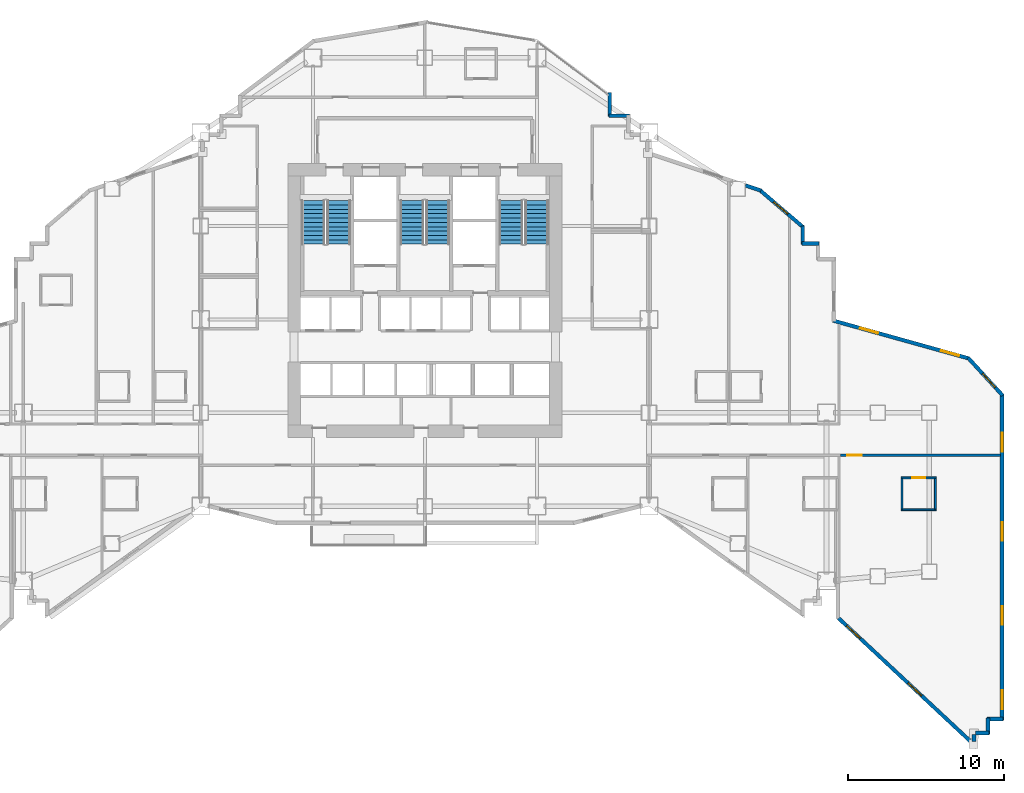
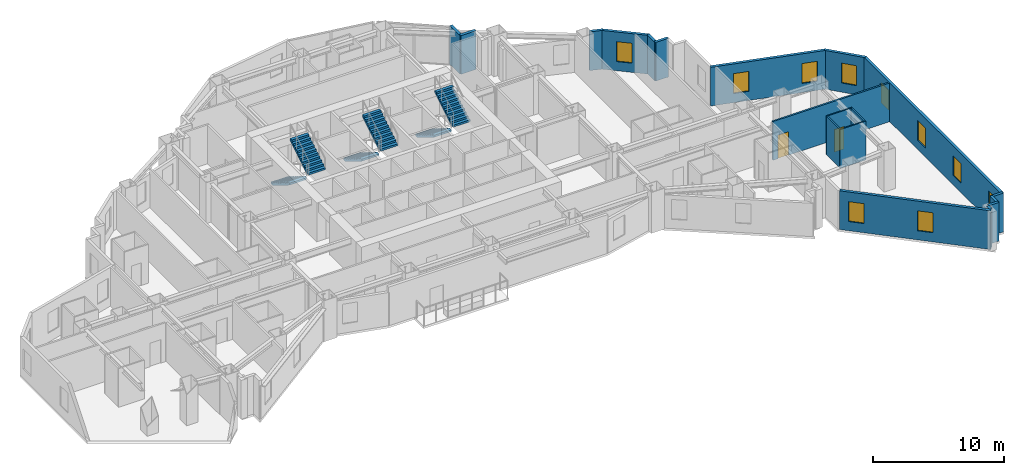
# One storey, part 12 of 15: 19 walls, 10 windows, 6 stair flights, 2 doors, 12 openings, 3 elements without a shape of their own.
"""IFC4 building model written with IfcOpenShell, lengths in metres."""

from ifc_helpers import new_model, si_unit, direction, frame, frame_2d, origin, place, context, subcontext, project, spatial, polyline, rectangle, outline, extrude, material, layer, layer_set, type_object, element, fill, aggregate, save


model = new_model("IFC4")

# Units and contexts
model_context = context("Model", 3, precision=1e-05, world=origin(), true_north=direction((0.0, 1.0)))
body_context = subcontext(model_context, "Body", "Model", "MODEL_VIEW")
ifc_project = project(units=[si_unit("LENGTHUNIT", "METRE"), si_unit("AREAUNIT", "SQUARE_METRE"), si_unit("VOLUMEUNIT", "CUBIC_METRE"), si_unit("PLANEANGLEUNIT", "RADIAN"), si_unit("MASSUNIT", "GRAM", prefix="KILO")], contexts=[model_context])

# Site, building, storey
site_placement = place(None, origin())
site = spatial("IfcSite", under=ifc_project, at=site_placement, CompositionType="ELEMENT")
building_placement = place(site_placement, origin())
building = spatial("IfcBuilding", under=site, at=building_placement, Name="Haolan Belvedere Tower", CompositionType="ELEMENT")
storey_placement = place(building_placement, frame((0.0, 0.0, 66.60009765625)))
storey = spatial("IfcBuildingStorey", under=building, at=storey_placement, Name="L16", CompositionType="ELEMENT", Elevation=66.60009765625)

# Wall, openings, windows
ifc_material_1 = material(Name="Precast concrete C40/50", Category="concrete")
ifc_layer_1 = layer(ifc_material_1, 0.239990234375, Name="Precast concrete C40/50")
ifc_layer_set_1 = layer_set([ifc_layer_1], Name="Precast concrete C40/50")
wall_type_1 = type_object("IfcWallType", Name="WL-EXT-240", PredefinedType="SOLIDWALL", material=ifc_layer_set_1)
wall_1_placement = place(storey_placement, frame((64.978515625, 14.3974609375, 0.0), z_axis=(0.0, 0.0, 1.0), x_axis=(0.731053894258, -0.682319722484, 0.0)))
wall_1 = element("IfcWall", 1, at=wall_1_placement, inside=storey, type_object=wall_type_1, Name="L16 pale-metal exterior spandrel wall 21.1", PredefinedType="SOLIDWALL", context=body_context, shape_type="SweptSolid", body=[
    extrude(rectangle(XDim=11.817626953125, YDim=0.239990234375, at=frame_2d((5.90869140625, 0.0))), origin(), (0.0, 0.0, 1.0), 3.599853515625),
])
opening_1_placement = place(wall_1_placement, frame((0.699951171875, 0.0, 0.85009765625)))
opening_1 = element("IfcOpeningElement", 2, at=opening_1_placement, cuts=wall_1, Name="Opening W-01", PredefinedType="OPENING", context=body_context, shape_type="SweptSolid", body=[
    extrude(rectangle(XDim=1.199951171875, YDim=1.85009765625, at=frame_2d((0.60009765625, 0.925048828125))), frame((0.0, 0.1298828125, 0.0), z_axis=(0.0, -1.0, 0.0), x_axis=(1.0, 0.0, 0.0)), (0.0, 0.0, 1.0), 0.260009765625),
])
opening_2_placement = place(wall_1_placement, frame((6.10009765625, 0.0, 0.85009765625)))
opening_2 = element("IfcOpeningElement", 3, at=opening_2_placement, cuts=wall_1, Name="Opening W-01", PredefinedType="OPENING", context=body_context, shape_type="SweptSolid", body=[
    extrude(rectangle(XDim=1.199951171875, YDim=1.85009765625, at=frame_2d((0.60009765625, 0.925048828125))), frame((0.0, 0.1298828125, 0.0), z_axis=(0.0, -1.0, 0.0), x_axis=(1.0, 0.0, 0.0)), (0.0, 0.0, 1.0), 0.260009765625),
])
ifc_material_2 = material(Name="Anodised aluminium 6063-T6 and Low-E glass", Category="aluminium")
window_type = type_object("IfcWindowType", Name="WN-DECO-Z1", PartitioningType="SINGLE_PANEL", PredefinedType="WINDOW", material=ifc_material_2)
window_1_placement = place(opening_1_placement, origin())
window_1 = element("IfcWindow", 4, at=window_1_placement, inside=storey, type_object=window_type, Name="L16 Art Deco chevron window 1", OverallHeight=1.85009765625, OverallWidth=1.199951171875, PartitioningType="SINGLE_PANEL", PredefinedType="WINDOW", context=body_context, shape_type="SweptSolid", body=[
    extrude(rectangle(XDim=1.199951171875, YDim=1.85009765625, at=frame_2d((0.60009765625, 0.925048828125))), frame((0.0, 0.030029296875, 0.0), z_axis=(0.0, -1.0, 0.0), x_axis=(1.0, 0.0, 0.0)), (0.0, 0.0, 1.0), 0.06005859375),
])
fill(opening_1, window_1)
window_2_placement = place(opening_2_placement, origin())
window_2 = element("IfcWindow", 5, at=window_2_placement, inside=storey, type_object=window_type, Name="L16 Art Deco chevron window 2", OverallHeight=1.85009765625, OverallWidth=1.199951171875, PartitioningType="SINGLE_PANEL", PredefinedType="WINDOW", context=body_context, shape_type="SweptSolid", body=[
    extrude(rectangle(XDim=1.199951171875, YDim=1.85009765625, at=frame_2d((0.60009765625, 0.925048828125))), frame((0.0, 0.030029296875, 0.0), z_axis=(0.0, -1.0, 0.0), x_axis=(1.0, 0.0, 0.0)), (0.0, 0.0, 1.0), 0.06005859375),
])
fill(opening_2, window_2)

# Walls
wall_2_placement = place(storey_placement, frame((73.679931640625, 6.481201171875, 0.0), z_axis=(0.0, 0.0, 1.0), x_axis=(0.0, 1.0, 0.0)))
element("IfcWall", 6, at=wall_2_placement, inside=storey, type_object=wall_type_1, Name="L16 pale-metal exterior spandrel wall 22.1", PredefinedType="SOLIDWALL", context=body_context, shape_type="SweptSolid", body=[
    extrude(rectangle(XDim=0.453857421875, YDim=0.239990234375, at=frame_2d((0.22705078125, 0.0))), origin(), (0.0, 0.0, 1.0), 3.599853515625),
])
wall_3_placement = place(storey_placement, frame((73.764892578125, 7.02001953125, 0.0), z_axis=(0.0, 0.0, 1.0), x_axis=(1.0, 0.0, 0.0)))
element("IfcWall", 7, at=wall_3_placement, inside=storey, type_object=wall_type_1, Name="L16 pale-metal exterior spandrel wall 23.1", PredefinedType="SOLIDWALL", context=body_context, shape_type="SweptSolid", body=[
    extrude(rectangle(XDim=0.8701171875, YDim=0.239990234375, at=frame_2d((0.43505859375, 0.0))), origin(), (0.0, 0.0, 1.0), 3.599853515625),
])
for number, where, z_axis, x_axis, name in (
    (8, (74.580078125, 6.965087890625, 0.0), (0.0, 0.0, 1.0), (0.0, 1.0, 0.0), "L16 pale-metal exterior spandrel wall 24.1"),
    (9, (74.52490234375, 7.919921875, 0.0), (0.0, 0.0, 1.0), (1.0, 0.0, 0.0), "L16 pale-metal exterior spandrel wall 25.1"),
):
    element("IfcWall", number, at=place(storey_placement, frame(where, z_axis=z_axis, x_axis=x_axis)), inside=storey, type_object=wall_type_1, Name=name, PredefinedType="SOLIDWALL", context=body_context, shape_type="SweptSolid", body=[
        extrude(rectangle(XDim=1.010009765625, YDim=0.239990234375, at=frame_2d((0.5048828125, 0.0))), origin(), (0.0, 0.0, 1.0), 3.599853515625),
    ])

# Wall, openings, windows
wall_4_placement = place(storey_placement, frame((75.47998046875, 7.864990234375, 0.0), z_axis=(0.0, 0.0, 1.0), x_axis=(0.0, 1.0, 0.0)))
wall_4 = element("IfcWall", 10, at=wall_4_placement, inside=storey, type_object=wall_type_1, Name="L16 pale-metal exterior spandrel wall 26.1", PredefinedType="SOLIDWALL", context=body_context, shape_type="SweptSolid", body=[
    extrude(rectangle(XDim=20.943359375, YDim=0.239990234375, at=frame_2d((10.4716796875, 0.0))), origin(), (0.0, 0.0, 1.0), 3.599853515625),
])
opening_3_placement = place(wall_4_placement, frame((0.699951171875, 0.0, 0.85009765625)))
opening_3 = element("IfcOpeningElement", 11, at=opening_3_placement, cuts=wall_4, Name="Opening W-01", PredefinedType="OPENING", context=body_context, shape_type="SweptSolid", body=[
    extrude(rectangle(XDim=1.199951171875, YDim=1.85009765625, at=frame_2d((0.60009765625, 0.925048828125))), frame((0.0, 0.1298828125, 0.0), z_axis=(0.0, -1.0, 0.0), x_axis=(1.0, 0.0, 0.0)), (0.0, 0.0, 1.0), 0.260009765625),
])
opening_4_placement = place(wall_4_placement, frame((6.10009765625, 0.0, 0.85009765625)))
opening_4 = element("IfcOpeningElement", 12, at=opening_4_placement, cuts=wall_4, Name="Opening W-01", PredefinedType="OPENING", context=body_context, shape_type="SweptSolid", body=[
    extrude(rectangle(XDim=1.199951171875, YDim=1.85009765625, at=frame_2d((0.60009765625, 0.925048828125))), frame((0.0, 0.1298828125, 0.0), z_axis=(0.0, -1.0, 0.0), x_axis=(1.0, 0.0, 0.0)), (0.0, 0.0, 1.0), 0.260009765625),
])
opening_5_placement = place(wall_4_placement, frame((11.5, 0.0, 0.85009765625)))
opening_5 = element("IfcOpeningElement", 13, at=opening_5_placement, cuts=wall_4, Name="Opening W-01", PredefinedType="OPENING", context=body_context, shape_type="SweptSolid", body=[
    extrude(rectangle(XDim=1.199951171875, YDim=1.85009765625, at=frame_2d((0.60009765625, 0.925048828125))), frame((0.0, 0.1298828125, 0.0), z_axis=(0.0, -1.0, 0.0), x_axis=(1.0, 0.0, 0.0)), (0.0, 0.0, 1.0), 0.260009765625),
])
opening_6_placement = place(wall_4_placement, frame((17.239990234375, 0.0, 0.85009765625)))
opening_6 = element("IfcOpeningElement", 14, at=opening_6_placement, cuts=wall_4, Name="Opening W-01", PredefinedType="OPENING", context=body_context, shape_type="SweptSolid", body=[
    extrude(rectangle(XDim=1.199951171875, YDim=1.85009765625, at=frame_2d((0.60009765625, 0.925048828125))), frame((0.0, 0.1298828125, 0.0), z_axis=(0.0, -1.0, 0.0), x_axis=(1.0, 0.0, 0.0)), (0.0, 0.0, 1.0), 0.260009765625),
])
window_3_placement = place(opening_3_placement, origin())
window_3 = element("IfcWindow", 15, at=window_3_placement, inside=storey, type_object=window_type, Name="L16 Art Deco chevron window 1", OverallHeight=1.85009765625, OverallWidth=1.199951171875, PartitioningType="SINGLE_PANEL", PredefinedType="WINDOW", context=body_context, shape_type="SweptSolid", body=[
    extrude(rectangle(XDim=1.199951171875, YDim=1.85009765625, at=frame_2d((0.60009765625, 0.925048828125))), frame((0.0, 0.030029296875, 0.0), z_axis=(0.0, -1.0, 0.0), x_axis=(1.0, 0.0, 0.0)), (0.0, 0.0, 1.0), 0.06005859375),
])
fill(opening_3, window_3)
window_4_placement = place(opening_4_placement, origin())
window_4 = element("IfcWindow", 16, at=window_4_placement, inside=storey, type_object=window_type, Name="L16 Art Deco chevron window 2", OverallHeight=1.85009765625, OverallWidth=1.199951171875, PartitioningType="SINGLE_PANEL", PredefinedType="WINDOW", context=body_context, shape_type="SweptSolid", body=[
    extrude(rectangle(XDim=1.199951171875, YDim=1.85009765625, at=frame_2d((0.60009765625, 0.925048828125))), frame((0.0, 0.030029296875, 0.0), z_axis=(0.0, -1.0, 0.0), x_axis=(1.0, 0.0, 0.0)), (0.0, 0.0, 1.0), 0.06005859375),
])
fill(opening_4, window_4)
window_5_placement = place(opening_5_placement, origin())
window_5 = element("IfcWindow", 17, at=window_5_placement, inside=storey, type_object=window_type, Name="L16 Art Deco chevron window 3", OverallHeight=1.85009765625, OverallWidth=1.199951171875, PartitioningType="SINGLE_PANEL", PredefinedType="WINDOW", context=body_context, shape_type="SweptSolid", body=[
    extrude(rectangle(XDim=1.199951171875, YDim=1.85009765625, at=frame_2d((0.60009765625, 0.925048828125))), frame((0.0, 0.030029296875, 0.0), z_axis=(0.0, -1.0, 0.0), x_axis=(1.0, 0.0, 0.0)), (0.0, 0.0, 1.0), 0.06005859375),
])
fill(opening_5, window_5)
window_6_placement = place(opening_6_placement, origin())
window_6 = element("IfcWindow", 18, at=window_6_placement, inside=storey, type_object=window_type, Name="L16 Art Deco chevron window 4", OverallHeight=1.85009765625, OverallWidth=1.199951171875, PartitioningType="SINGLE_PANEL", PredefinedType="WINDOW", context=body_context, shape_type="SweptSolid", body=[
    extrude(rectangle(XDim=1.199951171875, YDim=1.85009765625, at=frame_2d((0.60009765625, 0.925048828125))), frame((0.0, 0.030029296875, 0.0), z_axis=(0.0, -1.0, 0.0), x_axis=(1.0, 0.0, 0.0)), (0.0, 0.0, 1.0), 0.06005859375),
])
fill(opening_6, window_6)

# Wall, opening, window
wall_5_placement = place(storey_placement, frame((75.51708984375, 28.712890625, 0.0), z_axis=(0.0, 0.0, 1.0), x_axis=(-0.67574145796, 0.737138712858, 0.0)))
wall_5 = element("IfcWall", 19, at=wall_5_placement, inside=storey, type_object=wall_type_1, Name="L16 pale-metal exterior spandrel wall 27.1", PredefinedType="SOLIDWALL", context=body_context, shape_type="SweptSolid", body=[
    extrude(rectangle(XDim=3.284423828125, YDim=0.239990234375, at=frame_2d((1.64208984375, 0.0))), origin(), (0.0, 0.0, 1.0), 3.599853515625),
])
opening_7_placement = place(wall_5_placement, frame((0.699951171875, 0.0, 0.85009765625)))
opening_7 = element("IfcOpeningElement", 20, at=opening_7_placement, cuts=wall_5, Name="Opening W-01", PredefinedType="OPENING", context=body_context, shape_type="SweptSolid", body=[
    extrude(rectangle(XDim=1.199951171875, YDim=1.85009765625, at=frame_2d((0.60009765625, 0.925048828125))), frame((0.0, 0.1298828125, 0.0), z_axis=(0.0, -1.0, 0.0), x_axis=(1.0, 0.0, 0.0)), (0.0, 0.0, 1.0), 0.260009765625),
])
window_7_placement = place(opening_7_placement, origin())
window_7 = element("IfcWindow", 21, at=window_7_placement, inside=storey, type_object=window_type, Name="L16 Art Deco chevron window 1", OverallHeight=1.85009765625, OverallWidth=1.199951171875, PartitioningType="SINGLE_PANEL", PredefinedType="WINDOW", context=body_context, shape_type="SweptSolid", body=[
    extrude(rectangle(XDim=1.199951171875, YDim=1.85009765625, at=frame_2d((0.60009765625, 0.925048828125))), frame((0.0, 0.030029296875, 0.0), z_axis=(0.0, -1.0, 0.0), x_axis=(1.0, 0.0, 0.0)), (0.0, 0.0, 1.0), 0.06005859375),
])
fill(opening_7, window_7)

# Wall, openings, windows
wall_6_placement = place(storey_placement, frame((73.3876953125, 31.078857421875, 0.0), z_axis=(0.0, 0.0, 1.0), x_axis=(-0.963197271032, 0.268795493036, 0.0)))
wall_6 = element("IfcWall", 22, at=wall_6_placement, inside=storey, type_object=wall_type_1, Name="L16 pale-metal exterior spandrel wall 28.1", PredefinedType="SOLIDWALL", context=body_context, shape_type="SweptSolid", body=[
    extrude(rectangle(XDim=9.095458984375, YDim=0.239990234375, at=frame_2d((4.5478515625, 0.0))), origin(), (0.0, 0.0, 1.0), 3.599853515625),
])
opening_8_placement = place(wall_6_placement, frame((0.699951171875, 0.0, 0.85009765625)))
opening_8 = element("IfcOpeningElement", 23, at=opening_8_placement, cuts=wall_6, Name="Opening W-01", PredefinedType="OPENING", context=body_context, shape_type="SweptSolid", body=[
    extrude(rectangle(XDim=1.199951171875, YDim=1.85009765625, at=frame_2d((0.60009765625, 0.925048828125))), frame((0.0, 0.1298828125, 0.0), z_axis=(0.0, -1.0, 0.0), x_axis=(1.0, 0.0, 0.0)), (0.0, 0.0, 1.0), 0.260009765625),
])
opening_9_placement = place(wall_6_placement, frame((6.10009765625, 0.0, 0.85009765625)))
opening_9 = element("IfcOpeningElement", 24, at=opening_9_placement, cuts=wall_6, Name="Opening W-01", PredefinedType="OPENING", context=body_context, shape_type="SweptSolid", body=[
    extrude(rectangle(XDim=1.199951171875, YDim=1.85009765625, at=frame_2d((0.60009765625, 0.925048828125))), frame((0.0, 0.1298828125, 0.0), z_axis=(0.0, -1.0, 0.0), x_axis=(1.0, 0.0, 0.0)), (0.0, 0.0, 1.0), 0.260009765625),
])
window_8_placement = place(opening_8_placement, origin())
window_8 = element("IfcWindow", 25, at=window_8_placement, inside=storey, type_object=window_type, Name="L16 Art Deco chevron window 1", OverallHeight=1.85009765625, OverallWidth=1.199951171875, PartitioningType="SINGLE_PANEL", PredefinedType="WINDOW", context=body_context, shape_type="SweptSolid", body=[
    extrude(rectangle(XDim=1.199951171875, YDim=1.85009765625, at=frame_2d((0.60009765625, 0.925048828125))), frame((0.0, 0.030029296875, 0.0), z_axis=(0.0, -1.0, 0.0), x_axis=(1.0, 0.0, 0.0)), (0.0, 0.0, 1.0), 0.06005859375),
])
fill(opening_8, window_8)
window_9_placement = place(opening_9_placement, origin())
window_9 = element("IfcWindow", 26, at=window_9_placement, inside=storey, type_object=window_type, Name="L16 Art Deco chevron window 2", OverallHeight=1.85009765625, OverallWidth=1.199951171875, PartitioningType="SINGLE_PANEL", PredefinedType="WINDOW", context=body_context, shape_type="SweptSolid", body=[
    extrude(rectangle(XDim=1.199951171875, YDim=1.85009765625, at=frame_2d((0.60009765625, 0.925048828125))), frame((0.0, 0.030029296875, 0.0), z_axis=(0.0, -1.0, 0.0), x_axis=(1.0, 0.0, 0.0)), (0.0, 0.0, 1.0), 0.06005859375),
])
fill(opening_9, window_9)

# Walls
wall_7_placement = place(storey_placement, frame((63.735107421875, 38.47998046875, 0.0), z_axis=(0.0, 0.0, 1.0), x_axis=(-1.0, 0.0, 0.0)))
element("IfcWall", 27, at=wall_7_placement, inside=storey, type_object=wall_type_1, Name="L16 pale-metal exterior spandrel wall 32.1", PredefinedType="SOLIDWALL", context=body_context, shape_type="SweptSolid", body=[
    extrude(rectangle(XDim=1.110107421875, YDim=0.239990234375, at=frame_2d((0.55517578125, 0.0))), origin(), (0.0, 0.0, 1.0), 3.599853515625),
])
wall_8_placement = place(storey_placement, frame((62.679931640625, 38.425048828125, 0.0), z_axis=(0.0, 0.0, 1.0), x_axis=(0.0, 1.0, 0.0)))
element("IfcWall", 28, at=wall_8_placement, inside=storey, type_object=wall_type_1, Name="L16 pale-metal exterior spandrel wall 33.1", PredefinedType="SOLIDWALL", context=body_context, shape_type="SweptSolid", body=[
    extrude(rectangle(XDim=1.1748046875, YDim=0.239990234375, at=frame_2d((0.58740234375, 0.0))), origin(), (0.0, 0.0, 1.0), 3.599853515625),
])

# Wall, opening, window
wall_9_placement = place(storey_placement, frame((62.7216796875, 39.509033203125, 0.0), z_axis=(0.0, 0.0, 1.0), x_axis=(-0.759247334792, 0.650802185469, 0.0)))
wall_9 = element("IfcWall", 29, at=wall_9_placement, inside=storey, type_object=wall_type_1, Name="L16 pale-metal exterior spandrel wall 34.1", PredefinedType="SOLIDWALL", context=body_context, shape_type="SweptSolid", body=[
    extrude(rectangle(XDim=3.71923828125, YDim=0.239990234375, at=frame_2d((1.859619140625, 0.0))), origin(), (0.0, 0.0, 1.0), 3.599853515625),
])
opening_10_placement = place(wall_9_placement, frame((1.319580078125, 0.0, 0.85009765625)))
opening_10 = element("IfcOpeningElement", 30, at=opening_10_placement, cuts=wall_9, Name="Opening W-01", PredefinedType="OPENING", context=body_context, shape_type="SweptSolid", body=[
    extrude(rectangle(XDim=1.199951171875, YDim=1.85009765625, at=frame_2d((0.60009765625, 0.925048828125))), frame((0.0, 0.1298828125, 0.0), z_axis=(0.0, -1.0, 0.0), x_axis=(1.0, 0.0, 0.0)), (0.0, 0.0, 1.0), 0.260009765625),
])
window_10_placement = place(opening_10_placement, origin())
window_10 = element("IfcWindow", 31, at=window_10_placement, inside=storey, type_object=window_type, Name="L16 Art Deco chevron window 1", OverallHeight=1.85009765625, OverallWidth=1.199951171875, PartitioningType="SINGLE_PANEL", PredefinedType="WINDOW", context=body_context, shape_type="SweptSolid", body=[
    extrude(rectangle(XDim=1.199951171875, YDim=1.85009765625, at=frame_2d((0.60009765625, 0.925048828125))), frame((0.0, 0.030029296875, 0.0), z_axis=(0.0, -1.0, 0.0), x_axis=(1.0, 0.0, 0.0)), (0.0, 0.0, 1.0), 0.06005859375),
])
fill(opening_10, window_10)

# Walls
wall_10_placement = place(storey_placement, frame((59.991943359375, 41.876220703125, 0.0), z_axis=(0.0, 0.0, 1.0), x_axis=(-0.948706457285, 0.316158279832, 0.0)))
element("IfcWall", 32, at=wall_10_placement, inside=storey, type_object=wall_type_1, Name="L16 pale-metal exterior spandrel wall 35.1", PredefinedType="SOLIDWALL", context=body_context, shape_type="SweptSolid", body=[
    extrude(rectangle(XDim=1.053955078125, YDim=0.239990234375, at=frame_2d((0.52685546875, 0.0))), origin(), (0.0, 0.0, 1.0), 3.599853515625),
])
wall_11_placement = place(storey_placement, frame((51.534912109375, 46.679931640625, 0.0), z_axis=(0.0, 0.0, 1.0), x_axis=(-1.0, 0.0, 0.0)))
element("IfcWall", 33, at=wall_11_placement, inside=storey, type_object=wall_type_1, Name="L16 pale-metal exterior spandrel wall 39.1", PredefinedType="SOLIDWALL", context=body_context, shape_type="SweptSolid", body=[
    extrude(rectangle(XDim=1.309814453125, YDim=0.239990234375, at=frame_2d((0.65478515625, 0.0))), origin(), (0.0, 0.0, 1.0), 3.599853515625),
])
wall_12_placement = place(storey_placement, frame((50.280029296875, 46.625, 0.0), z_axis=(0.0, 0.0, 1.0), x_axis=(0.0, 1.0, 0.0)))
element("IfcWall", 34, at=wall_12_placement, inside=storey, type_object=wall_type_1, Name="L16 pale-metal exterior spandrel wall 40.1", PredefinedType="SOLIDWALL", context=body_context, shape_type="SweptSolid", body=[
    extrude(rectangle(XDim=1.5400390625, YDim=0.239990234375, at=frame_2d((0.77001953125, 0.0))), origin(), (0.0, 0.0, 1.0), 3.599853515625),
])

# Wall, opening, door
ifc_material_3 = material(Name="Double gypsum acoustic stud partition", Category="masonry")
ifc_layer_2 = layer(ifc_material_3, 0.14990234375, Name="Double gypsum acoustic stud partition")
ifc_layer_set_2 = layer_set([ifc_layer_2], Name="Double gypsum acoustic stud partition")
wall_type_2 = type_object("IfcWallType", Name="WL-PART-150", PredefinedType="PARTITIONING", material=ifc_layer_set_2)
wall_13_placement = place(storey_placement, frame((65.10205078125, 24.8701171875, 0.0), z_axis=(0.0, 0.0, 1.0), x_axis=(1.0, 0.0, 0.0)))
wall_13 = element("IfcWall", 35, at=wall_13_placement, inside=storey, type_object=wall_type_2, Name="L16 interior partition IW-L16-T5S1-N", PredefinedType="PARTITIONING", context=body_context, shape_type="SweptSolid", body=[
    extrude(rectangle(XDim=10.27294921875, YDim=0.14990234375, at=frame_2d((5.136474609375, 0.0))), origin(), (0.0, 0.0, 1.0), 3.599853515625),
])
opening_11_placement = place(wall_13_placement, frame((1.379150390625, 0.0, 0.0), z_axis=(0.0, 0.0, 1.0), x_axis=(-1.0, 0.0, 0.0)))
opening_11 = element("IfcOpeningElement", 36, at=opening_11_placement, cuts=wall_13, Name="Opening ID-01", PredefinedType="OPENING", context=body_context, shape_type="SweptSolid", body=[
    extrude(rectangle(XDim=0.949951171875, YDim=2.179931640625, at=frame_2d((0.47509765625, 1.08984375))), frame((0.0, 0.0849609375, 0.0), z_axis=(0.0, -1.0, 0.0), x_axis=(1.0, 0.0, 0.0)), (0.0, 0.0, 1.0), 0.169921875),
])
ifc_material_4 = material(Name="Acoustic walnut veneer fire-rated timber", Category="wood")
door_type_1 = type_object("IfcDoorType", Name="DR-SUITE-950", OperationType="NOTDEFINED", PredefinedType="DOOR", material=ifc_material_4)
door_1_placement = place(opening_11_placement, origin())
door_1 = element("IfcDoor", 37, at=door_1_placement, inside=storey, type_object=door_type_1, Name="L16 door ID-L16-T5S1-ENT", OperationType="SINGLE_SWING_LEFT", OverallHeight=2.179931640625, OverallWidth=0.949951171875, PredefinedType="DOOR", context=body_context, shape_type="SweptSolid", body=[
    extrude(rectangle(XDim=0.949951171875, YDim=2.179931640625, at=frame_2d((0.47509765625, 1.08984375))), frame((0.0, 0.02490234375, 0.0), z_axis=(0.0, -1.0, 0.0), x_axis=(1.0, 0.0, 0.0)), (0.0, 0.0, 1.0), 0.050048828125),
])
fill(opening_11, door_1)

ifc_material_5 = material(Name="Moisture-resistant gypsum tile partition", Category="masonry")
ifc_layer_3 = layer(ifc_material_5, 0.1201171875, Name="Moisture-resistant gypsum tile partition")
ifc_layer_set_3 = layer_set([ifc_layer_3], Name="Moisture-resistant gypsum tile partition")
wall_type_3 = type_object("IfcWallType", Name="WL-WET-120", PredefinedType="PARTITIONING", material=ifc_layer_set_3)
wall_14_placement = place(storey_placement, frame((68.989990234375, 23.419921875, 0.0), z_axis=(0.0, 0.0, 1.0), x_axis=(1.0, 0.0, 0.0)))
wall_14 = element("IfcWall", 38, at=wall_14_placement, inside=storey, type_object=wall_type_3, Name="L16 interior partition IW-L16-T5S1-BN", PredefinedType="PARTITIONING", context=body_context, shape_type="SweptSolid", body=[
    extrude(rectangle(XDim=2.27001953125, YDim=0.1201171875, at=frame_2d((1.135009765625, 0.0))), origin(), (0.0, 0.0, 1.0), 3.599853515625),
])
opening_12_placement = place(wall_14_placement, frame((1.56005859375, 0.0, 0.0), z_axis=(0.0, 0.0, 1.0), x_axis=(-1.0, 0.0, 0.0)))
opening_12 = element("IfcOpeningElement", 39, at=opening_12_placement, cuts=wall_14, Name="Opening ID-05", PredefinedType="OPENING", context=body_context, shape_type="SweptSolid", body=[
    extrude(rectangle(XDim=0.85009765625, YDim=2.10009765625, at=frame_2d((0.425048828125, 1.050048828125))), frame((0.0, 0.070068359375, 0.0), z_axis=(0.0, -1.0, 0.0), x_axis=(1.0, 0.0, 0.0)), (0.0, 0.0, 1.0), 0.14013671875),
])
ifc_material_6 = material(Name="Moisture-resistant lacquered timber", Category="wood")
door_type_2 = type_object("IfcDoorType", Name="DR-BATH-850", OperationType="NOTDEFINED", PredefinedType="DOOR", material=ifc_material_6)
door_2_placement = place(opening_12_placement, origin())
door_2 = element("IfcDoor", 40, at=door_2_placement, inside=storey, type_object=door_type_2, Name="L16 door ID-L16-T5S1-BATH", OperationType="SINGLE_SWING_RIGHT", OverallHeight=2.10009765625, OverallWidth=0.85009765625, PredefinedType="DOOR", context=body_context, shape_type="SweptSolid", body=[
    extrude(rectangle(XDim=0.85009765625, YDim=2.10009765625, at=frame_2d((0.425048828125, 1.050048828125))), frame((0.0, 0.02490234375, 0.0), z_axis=(0.0, -1.0, 0.0), x_axis=(1.0, 0.0, 0.0)), (0.0, 0.0, 1.0), 0.050048828125),
])
fill(opening_12, door_2)

# Walls
wall_15_placement = place(storey_placement, frame((68.989990234375, 21.3701171875, 0.0), z_axis=(0.0, 0.0, 1.0), x_axis=(1.0, 0.0, 0.0)))
element("IfcWall", 41, at=wall_15_placement, inside=storey, type_object=wall_type_3, Name="L16 interior partition IW-L16-T5S1-BS", PredefinedType="PARTITIONING", context=body_context, shape_type="SweptSolid", body=[
    extrude(rectangle(XDim=2.27001953125, YDim=0.1201171875, at=frame_2d((1.135009765625, 0.0))), origin(), (0.0, 0.0, 1.0), 3.599853515625),
])
for number, where, z_axis, x_axis, name in (
    (42, (69.050048828125, 21.4150390625, 0.0), (0.0, 0.0, 1.0), (0.0, 1.0, 0.0), "L16 interior partition IW-L16-T5S1-BW"),
    (43, (71.199951171875, 21.4150390625, 0.0), (0.0, 0.0, 1.0), (0.0, 1.0, 0.0), "L16 interior partition IW-L16-T5S1-BE"),
):
    element("IfcWall", number, at=place(storey_placement, frame(where, z_axis=z_axis, x_axis=x_axis)), inside=storey, type_object=wall_type_3, Name=name, PredefinedType="PARTITIONING", context=body_context, shape_type="SweptSolid", body=[
        extrude(rectangle(XDim=1.9599609375, YDim=0.1201171875, at=frame_2d((0.97998046875, 0.0))), origin(), (0.0, 0.0, 1.0), 3.599853515625),
    ])

# Stair, stair flights
ifc_material_7 = material(Name="Concrete C40/50", Category="concrete")
stair_type = type_object("IfcStairType", Name="STR-DL-22R-173", PredefinedType="HALF_TURN_STAIR", material=ifc_material_7)
stair_1_placement = place(storey_placement, origin())
stair_1 = element("IfcStair", 44, at=stair_1_placement, inside=storey, type_object=stair_type, Name="L16 Smokeproof Core Exit Stair ST1", PredefinedType="HALF_TURN_STAIR")
stair_flight_type = type_object("IfcStairFlightType", Name="SFL-DL-11R-173", PredefinedType="STRAIGHT", material=ifc_material_7)
stair_flight_1_placement = place(storey_placement, frame((31.2099609375, 41.22998046875, 0.0), z_axis=(0.0, 0.0, 1.0), x_axis=(0.0, -1.0, 0.0)))
stair_flight_1 = element("IfcStairFlight", 45, at=stair_flight_1_placement, type_object=stair_flight_type, Name="ST1 flight 1", NumberOfRisers=11, NumberOfTreads=10, PredefinedType="STRAIGHT", RiserHeight=0.172727273, TreadLength=0.28, context=body_context, shape_type="SweptSolid", body=[
    extrude(outline(polyline([(0.0, 0.0), (0.0, 0.172607421875), (0.280029296875, 0.172607421875), (0.280029296875, 0.345458984375), (0.56005859375, 0.345458984375), (0.56005859375, 0.51806640625), (0.840087890625, 0.51806640625), (0.840087890625, 0.69091796875), (1.1201171875, 0.69091796875), (1.1201171875, 0.863525390625), (1.39990234375, 0.863525390625), (1.39990234375, 1.036376953125), (1.679931640625, 1.036376953125), (1.679931640625, 1.208984375), (1.9599609375, 1.208984375), (1.9599609375, 1.3818359375), (2.239990234375, 1.3818359375), (2.239990234375, 1.554443359375), (2.52001953125, 1.554443359375), (2.52001953125, 1.727294921875), (2.800048828125, 1.727294921875), (2.800048828125, 1.89990234375), (2.800048828125, 1.551025390625), (0.285400390625, 0.0), (0.0, 0.0)])), frame((0.0, 0.760009765625, 0.0), z_axis=(0.0, -1.0, 0.0), x_axis=(1.0, 0.0, 0.0)), (0.0, 0.0, 1.0), 1.52001953125),
])
stair_flight_2_placement = place(storey_placement, frame((32.8701171875, 38.429931640625, 1.89990234375), z_axis=(0.0, 0.0, 1.0), x_axis=(0.0, 1.0, 0.0)))
stair_flight_2 = element("IfcStairFlight", 46, at=stair_flight_2_placement, type_object=stair_flight_type, Name="ST1 flight 2", NumberOfRisers=11, NumberOfTreads=10, PredefinedType="STRAIGHT", RiserHeight=0.172727273, TreadLength=0.28, context=body_context, shape_type="SweptSolid", body=[
    extrude(outline(polyline([(0.0, 0.0), (0.0, 0.172607421875), (0.280029296875, 0.172607421875), (0.280029296875, 0.345458984375), (0.56005859375, 0.345458984375), (0.56005859375, 0.51806640625), (0.840087890625, 0.51806640625), (0.840087890625, 0.69091796875), (1.1201171875, 0.69091796875), (1.1201171875, 0.863525390625), (1.39990234375, 0.863525390625), (1.39990234375, 1.036376953125), (1.679931640625, 1.036376953125), (1.679931640625, 1.208984375), (1.9599609375, 1.208984375), (1.9599609375, 1.3818359375), (2.239990234375, 1.3818359375), (2.239990234375, 1.554443359375), (2.52001953125, 1.554443359375), (2.52001953125, 1.727294921875), (2.800048828125, 1.727294921875), (2.800048828125, 1.89990234375), (2.800048828125, 1.551025390625), (0.285400390625, 0.0), (0.0, 0.0)])), frame((0.0, 0.760009765625, 0.0), z_axis=(0.0, -1.0, 0.0), x_axis=(1.0, 0.0, 0.0)), (0.0, 0.0, 1.0), 1.52001953125),
])
aggregate(stair_1, [stair_flight_1, stair_flight_2])

stair_2_placement = place(storey_placement, origin())
stair_2 = element("IfcStair", 47, at=stair_2_placement, inside=storey, type_object=stair_type, Name="L16 Smokeproof Core Exit Stair ST3", PredefinedType="HALF_TURN_STAIR")
stair_flight_3_placement = place(storey_placement, frame((37.570068359375, 41.22998046875, 0.0), z_axis=(0.0, 0.0, 1.0), x_axis=(0.0, -1.0, 0.0)))
stair_flight_3 = element("IfcStairFlight", 48, at=stair_flight_3_placement, type_object=stair_flight_type, Name="ST3 flight 1", NumberOfRisers=11, NumberOfTreads=10, PredefinedType="STRAIGHT", RiserHeight=0.172727273, TreadLength=0.28, context=body_context, shape_type="SweptSolid", body=[
    extrude(outline(polyline([(0.0, 0.0), (0.0, 0.172607421875), (0.280029296875, 0.172607421875), (0.280029296875, 0.345458984375), (0.56005859375, 0.345458984375), (0.56005859375, 0.51806640625), (0.840087890625, 0.51806640625), (0.840087890625, 0.69091796875), (1.1201171875, 0.69091796875), (1.1201171875, 0.863525390625), (1.39990234375, 0.863525390625), (1.39990234375, 1.036376953125), (1.679931640625, 1.036376953125), (1.679931640625, 1.208984375), (1.9599609375, 1.208984375), (1.9599609375, 1.3818359375), (2.239990234375, 1.3818359375), (2.239990234375, 1.554443359375), (2.52001953125, 1.554443359375), (2.52001953125, 1.727294921875), (2.800048828125, 1.727294921875), (2.800048828125, 1.89990234375), (2.800048828125, 1.551025390625), (0.285400390625, 0.0), (0.0, 0.0)])), frame((0.0, 0.760009765625, 0.0), z_axis=(0.0, -1.0, 0.0), x_axis=(1.0, 0.0, 0.0)), (0.0, 0.0, 1.0), 1.52001953125),
])
stair_flight_4_placement = place(storey_placement, frame((39.22998046875, 38.429931640625, 1.89990234375), z_axis=(0.0, 0.0, 1.0), x_axis=(0.0, 1.0, 0.0)))
stair_flight_4 = element("IfcStairFlight", 49, at=stair_flight_4_placement, type_object=stair_flight_type, Name="ST3 flight 2", NumberOfRisers=11, NumberOfTreads=10, PredefinedType="STRAIGHT", RiserHeight=0.172727273, TreadLength=0.28, context=body_context, shape_type="SweptSolid", body=[
    extrude(outline(polyline([(0.0, 0.0), (0.0, 0.172607421875), (0.280029296875, 0.172607421875), (0.280029296875, 0.345458984375), (0.56005859375, 0.345458984375), (0.56005859375, 0.51806640625), (0.840087890625, 0.51806640625), (0.840087890625, 0.69091796875), (1.1201171875, 0.69091796875), (1.1201171875, 0.863525390625), (1.39990234375, 0.863525390625), (1.39990234375, 1.036376953125), (1.679931640625, 1.036376953125), (1.679931640625, 1.208984375), (1.9599609375, 1.208984375), (1.9599609375, 1.3818359375), (2.239990234375, 1.3818359375), (2.239990234375, 1.554443359375), (2.52001953125, 1.554443359375), (2.52001953125, 1.727294921875), (2.800048828125, 1.727294921875), (2.800048828125, 1.89990234375), (2.800048828125, 1.551025390625), (0.285400390625, 0.0), (0.0, 0.0)])), frame((0.0, 0.760009765625, 0.0), z_axis=(0.0, -1.0, 0.0), x_axis=(1.0, 0.0, 0.0)), (0.0, 0.0, 1.0), 1.52001953125),
])
aggregate(stair_2, [stair_flight_3, stair_flight_4])

stair_3_placement = place(storey_placement, origin())
stair_3 = element("IfcStair", 50, at=stair_3_placement, inside=storey, type_object=stair_type, Name="L16 Smokeproof Core Exit Stair ST2", PredefinedType="HALF_TURN_STAIR")
stair_flight_5_placement = place(storey_placement, frame((43.929931640625, 41.22998046875, 0.0), z_axis=(0.0, 0.0, 1.0), x_axis=(0.0, -1.0, 0.0)))
stair_flight_5 = element("IfcStairFlight", 51, at=stair_flight_5_placement, type_object=stair_flight_type, Name="ST2 flight 1", NumberOfRisers=11, NumberOfTreads=10, PredefinedType="STRAIGHT", RiserHeight=0.172727273, TreadLength=0.28, context=body_context, shape_type="SweptSolid", body=[
    extrude(outline(polyline([(0.0, 0.0), (0.0, 0.172607421875), (0.280029296875, 0.172607421875), (0.280029296875, 0.345458984375), (0.56005859375, 0.345458984375), (0.56005859375, 0.51806640625), (0.840087890625, 0.51806640625), (0.840087890625, 0.69091796875), (1.1201171875, 0.69091796875), (1.1201171875, 0.863525390625), (1.39990234375, 0.863525390625), (1.39990234375, 1.036376953125), (1.679931640625, 1.036376953125), (1.679931640625, 1.208984375), (1.9599609375, 1.208984375), (1.9599609375, 1.3818359375), (2.239990234375, 1.3818359375), (2.239990234375, 1.554443359375), (2.52001953125, 1.554443359375), (2.52001953125, 1.727294921875), (2.800048828125, 1.727294921875), (2.800048828125, 1.89990234375), (2.800048828125, 1.551025390625), (0.285400390625, 0.0), (0.0, 0.0)])), frame((0.0, 0.760009765625, 0.0), z_axis=(0.0, -1.0, 0.0), x_axis=(1.0, 0.0, 0.0)), (0.0, 0.0, 1.0), 1.52001953125),
])
stair_flight_6_placement = place(storey_placement, frame((45.590087890625, 38.429931640625, 1.89990234375), z_axis=(0.0, 0.0, 1.0), x_axis=(0.0, 1.0, 0.0)))
stair_flight_6 = element("IfcStairFlight", 52, at=stair_flight_6_placement, type_object=stair_flight_type, Name="ST2 flight 2", NumberOfRisers=11, NumberOfTreads=10, PredefinedType="STRAIGHT", RiserHeight=0.172727273, TreadLength=0.28, context=body_context, shape_type="SweptSolid", body=[
    extrude(outline(polyline([(0.0, 0.0), (0.0, 0.172607421875), (0.280029296875, 0.172607421875), (0.280029296875, 0.345458984375), (0.56005859375, 0.345458984375), (0.56005859375, 0.51806640625), (0.840087890625, 0.51806640625), (0.840087890625, 0.69091796875), (1.1201171875, 0.69091796875), (1.1201171875, 0.863525390625), (1.39990234375, 0.863525390625), (1.39990234375, 1.036376953125), (1.679931640625, 1.036376953125), (1.679931640625, 1.208984375), (1.9599609375, 1.208984375), (1.9599609375, 1.3818359375), (2.239990234375, 1.3818359375), (2.239990234375, 1.554443359375), (2.52001953125, 1.554443359375), (2.52001953125, 1.727294921875), (2.800048828125, 1.727294921875), (2.800048828125, 1.89990234375), (2.800048828125, 1.551025390625), (0.285400390625, 0.0), (0.0, 0.0)])), frame((0.0, 0.760009765625, 0.0), z_axis=(0.0, -1.0, 0.0), x_axis=(1.0, 0.0, 0.0)), (0.0, 0.0, 1.0), 1.52001953125),
])
aggregate(stair_3, [stair_flight_5, stair_flight_6])

save(model, "model.ifc")
